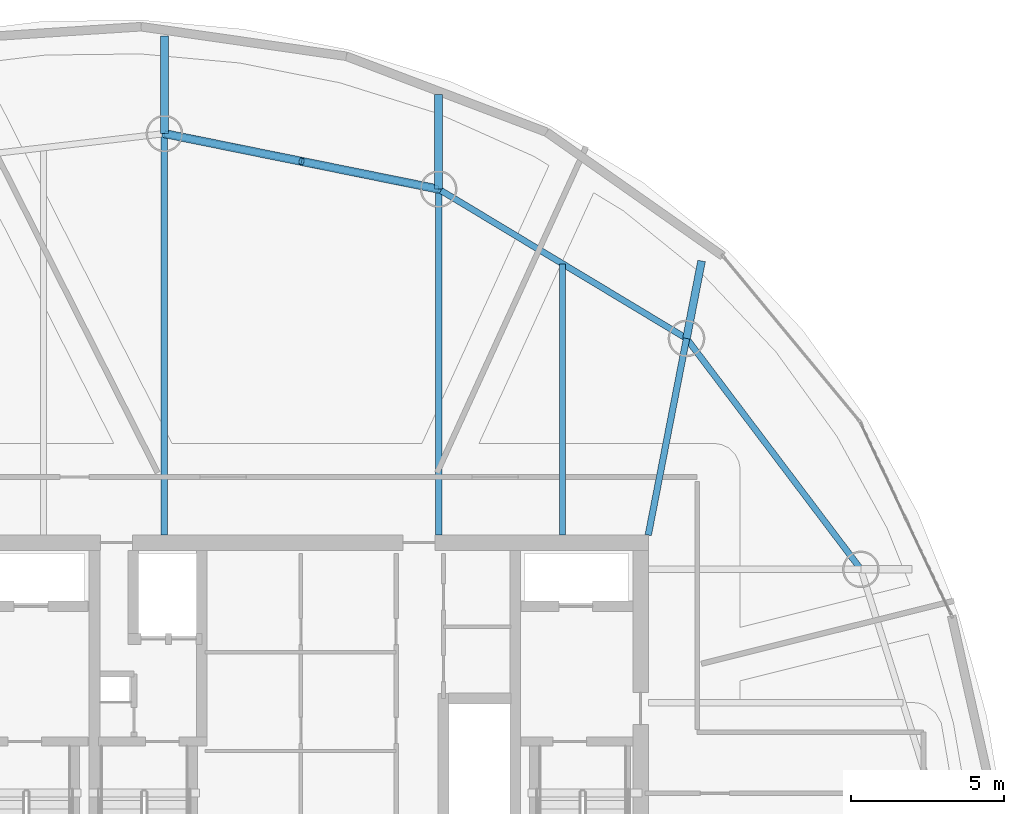
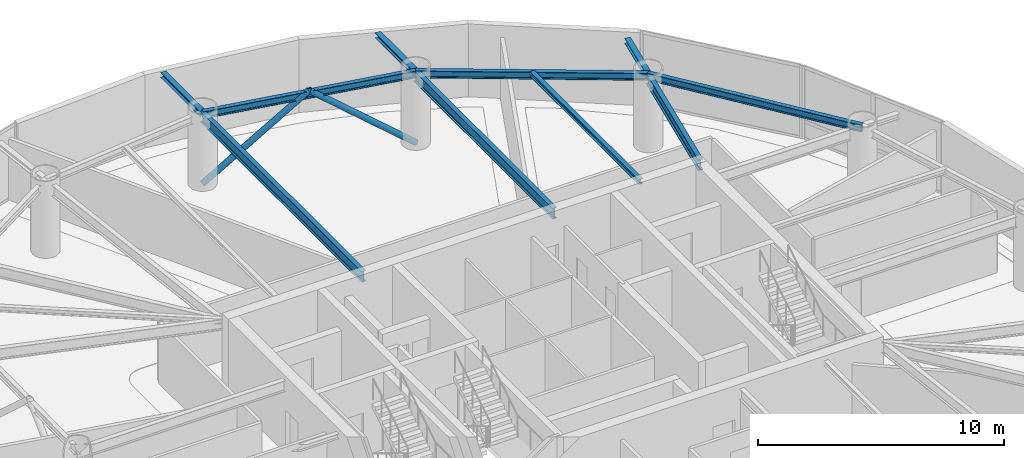
# One storey, part 11 of 20: 10 beams, 2 members.
"""IFC4 building model written with IfcOpenShell, lengths in metres."""

from ifc_helpers import new_model, si_unit, direction, frame, origin, origin_2d, place, context, subcontext, project, spatial, hollow_circle, i_section, extrude, material, material_profile, profile_set, type_object, element, save


model = new_model("IFC4")

# Units and contexts
model_context = context("Model", 3, precision=1e-05, world=origin(), true_north=direction((0.0, 1.0)))
body_context = subcontext(model_context, "Body", "Model", "MODEL_VIEW")
ifc_project = project(units=[si_unit("LENGTHUNIT", "METRE"), si_unit("AREAUNIT", "SQUARE_METRE"), si_unit("VOLUMEUNIT", "CUBIC_METRE"), si_unit("PLANEANGLEUNIT", "RADIAN"), si_unit("MASSUNIT", "GRAM", prefix="KILO")], contexts=[model_context])

# Site, building, storey
site_placement = place(None, origin())
site = spatial("IfcSite", under=ifc_project, at=site_placement, CompositionType="ELEMENT")
building_placement = place(site_placement, origin())
building = spatial("IfcBuilding", under=site, at=building_placement, Name="Bramvorn Convention Spire", CompositionType="ELEMENT")
storey_placement = place(building_placement, frame((0.0, 0.0, 202.0)))
storey = spatial("IfcBuildingStorey", under=building, at=storey_placement, Name="L51", CompositionType="ELEMENT", Elevation=202.0)

# Beams
ifc_material = material(Name="Steel CSA G40.21 Grade 350 (350W)", Category="steel")
ifc_material_profile_1 = material_profile(ifc_material, i_section(OverallWidth=0.201904296875, OverallDepth=0.2470703125, WebThickness=0.00732421875, FlangeThickness=0.010986328125, FilletRadius=0.011962890625, at=origin_2d()))
ifc_profile_set_1 = profile_set([ifc_material_profile_1], Name="Steel CSA G40.21 Grade 350 (350W) - W250X49")
beam_type_1 = type_object("IfcBeamType", Name="BM-W250X49", PredefinedType="JOIST", material=ifc_profile_set_1)
beam_1_placement = place(storey_placement, frame((46.445556640625, 33.449951171875, 3.49658203125), z_axis=(0.0, 1.0, 0.0), x_axis=(-1.0, 0.0, 0.0)))
element("IfcBeam", 1, at=beam_1_placement, inside=storey, type_object=beam_type_1, Name="L51 composite floor joist 05", PredefinedType="JOIST", context=body_context, shape_type="SweptSolid", body=[
    extrude(i_section(OverallWidth=0.201904296875, OverallDepth=0.2470703125, WebThickness=0.00732421875, FlangeThickness=0.010986328125, FilletRadius=0.011962890625, at=origin_2d()), origin(), (0.0, 0.0, 1.0), 8.878662109375),
])
ifc_material_profile_2 = material_profile(ifc_material, i_section(OverallWidth=0.25390625, OverallDepth=0.2529296875, WebThickness=0.008544921875, FlangeThickness=0.01416015625, FilletRadius=0.011962890625, at=origin_2d()))
ifc_profile_set_2 = profile_set([ifc_material_profile_2], Name="Steel CSA G40.21 Grade 350 (350W) - W250X73")
beam_type_2 = type_object("IfcBeamType", Name="BM-W250X73", PredefinedType="BEAM", material=ifc_profile_set_2)
beam_2_placement = place(storey_placement, frame((50.501953125, 39.885009765625, 3.493408203125), z_axis=(0.190968343976, 0.981596195795, 0.0), x_axis=(-0.981596195795, 0.190968343976, 0.0)))
element("IfcBeam", 2, at=beam_2_placement, inside=storey, type_object=beam_type_2, Name="L51 slab-edge cantilever tip beam MC05", PredefinedType="BEAM", context=body_context, shape_type="SweptSolid", body=[
    extrude(i_section(OverallWidth=0.25390625, OverallDepth=0.2529296875, WebThickness=0.008544921875, FlangeThickness=0.01416015625, FilletRadius=0.011962890625, at=origin_2d()), origin(), (0.0, 0.0, 1.0), 2.58251953125),
])
beam_3_placement = place(storey_placement, frame((42.38916015625, 44.772216796875, 3.493408203125), z_axis=(0.0, 1.0, 0.0), x_axis=(-1.0, 0.0, 0.0)))
element("IfcBeam", 3, at=beam_3_placement, inside=storey, type_object=beam_type_2, Name="L51 slab-edge cantilever tip beam MC06", PredefinedType="BEAM", context=body_context, shape_type="SweptSolid", body=[
    extrude(i_section(OverallWidth=0.25390625, OverallDepth=0.2529296875, WebThickness=0.008544921875, FlangeThickness=0.01416015625, FilletRadius=0.011962890625, at=origin_2d()), origin(), (0.0, 0.0, 1.0), 3.09375),
])
beam_4_placement = place(storey_placement, frame((33.416259765625, 46.58837890625, 3.493408203125), z_axis=(0.0, 1.0, 0.0), x_axis=(-1.0, 0.0, 0.0)))
element("IfcBeam", 4, at=beam_4_placement, inside=storey, type_object=beam_type_2, Name="L51 slab-edge cantilever tip beam MC07", PredefinedType="BEAM", context=body_context, shape_type="SweptSolid", body=[
    extrude(i_section(OverallWidth=0.25390625, OverallDepth=0.2529296875, WebThickness=0.008544921875, FlangeThickness=0.01416015625, FilletRadius=0.011962890625, at=origin_2d()), origin(), (0.0, 0.0, 1.0), 3.199951171875),
])
ifc_material_profile_3 = material_profile(ifc_material, i_section(OverallWidth=0.205078125, OverallDepth=0.35400390625, WebThickness=0.009521484375, FlangeThickness=0.016845703125, FilletRadius=0.014892578125, at=origin_2d()))
ifc_profile_set_3 = profile_set([ifc_material_profile_3], Name="Steel CSA G40.21 Grade 350 (350W) - W360X79")
beam_type_3 = type_object("IfcBeamType", Name="BM-W360X79", PredefinedType="JOIST", material=ifc_profile_set_3)
for number, where, z_axis, x_axis, name in (
    (5, (56.21044921875, 32.327392578125, 3.443115234375), (-0.602718581414, 0.797953827999, 0.0), (-0.797953827999, -0.602718581414, 0.0), "L51 mega-column ring beam 04"),
    (6, (50.501953125, 39.885009765625, 3.443115234375), (-0.856581795745, 0.516011266543, 0.0), (-0.516011266543, -0.856581795745, 0.0), "L51 mega-column ring beam 05"),
):
    element("IfcBeam", number, at=place(storey_placement, frame(where, z_axis=z_axis, x_axis=x_axis)), inside=storey, type_object=beam_type_3, Name=name, PredefinedType="JOIST", context=body_context, shape_type="SweptSolid", body=[
        extrude(i_section(OverallWidth=0.205078125, OverallDepth=0.35400390625, WebThickness=0.009521484375, FlangeThickness=0.016845703125, FilletRadius=0.014892578125, at=origin_2d()), origin(), (0.0, 0.0, 1.0), 9.47119140625),
    ])
beam_5_placement = place(storey_placement, frame((42.38916015625, 44.772216796875, 3.443115234375), z_axis=(-0.980124701676, 0.198382381187, 0.0), x_axis=(-0.198382381187, -0.980124701676, 0.0)))
element("IfcBeam", 7, at=beam_5_placement, inside=storey, type_object=beam_type_3, Name="L51 mega-column ring beam 06", PredefinedType="JOIST", context=body_context, shape_type="SweptSolid", body=[
    extrude(i_section(OverallWidth=0.205078125, OverallDepth=0.35400390625, WebThickness=0.009521484375, FlangeThickness=0.016845703125, FilletRadius=0.014892578125, at=origin_2d()), origin(), (0.0, 0.0, 1.0), 9.15478515625),
])
ifc_material_profile_4 = material_profile(ifc_material, i_section(OverallWidth=0.2119140625, OverallDepth=0.5439453125, WebThickness=0.01318359375, FlangeThickness=0.021240234375, FilletRadius=0.01904296875, at=origin_2d()))
ifc_profile_set_4 = profile_set([ifc_material_profile_4], Name="Steel CSA G40.21 Grade 350 (350W) - W530X123")
beam_type_4 = type_object("IfcBeamType", Name="BM-W530X123", PredefinedType="BEAM", material=ifc_profile_set_4)
beam_6_placement = place(storey_placement, frame((49.25, 33.449951171875, 3.347900390625), z_axis=(0.190971329886, 0.981595614885, 0.0), x_axis=(-0.981595614885, 0.190971329886, 0.0)))
element("IfcBeam", 8, at=beam_6_placement, inside=storey, type_object=beam_type_4, Name="L51 radial floor girder MC05", PredefinedType="BEAM", context=body_context, shape_type="SweptSolid", body=[
    extrude(i_section(OverallWidth=0.2119140625, OverallDepth=0.5439453125, WebThickness=0.01318359375, FlangeThickness=0.021240234375, FilletRadius=0.01904296875, at=origin_2d()), origin(), (0.0, 0.0, 1.0), 6.5556640625),
])
beam_7_placement = place(storey_placement, frame((42.38916015625, 33.449951171875, 3.347900390625), z_axis=(0.0, 1.0, 0.0), x_axis=(-1.0, 0.0, 0.0)))
element("IfcBeam", 9, at=beam_7_placement, inside=storey, type_object=beam_type_4, Name="L51 radial floor girder MC06", PredefinedType="BEAM", context=body_context, shape_type="SweptSolid", body=[
    extrude(i_section(OverallWidth=0.2119140625, OverallDepth=0.5439453125, WebThickness=0.01318359375, FlangeThickness=0.021240234375, FilletRadius=0.01904296875, at=origin_2d()), origin(), (0.0, 0.0, 1.0), 11.322265625),
])
beam_8_placement = place(storey_placement, frame((33.416259765625, 33.449951171875, 3.347900390625), z_axis=(0.0, 1.0, 0.0), x_axis=(-1.0, 0.0, 0.0)))
element("IfcBeam", 10, at=beam_8_placement, inside=storey, type_object=beam_type_4, Name="L51 radial floor girder MC07", PredefinedType="BEAM", context=body_context, shape_type="SweptSolid", body=[
    extrude(i_section(OverallWidth=0.2119140625, OverallDepth=0.5439453125, WebThickness=0.01318359375, FlangeThickness=0.021240234375, FilletRadius=0.01904296875, at=origin_2d()), origin(), (0.0, 0.0, 1.0), 13.138427734375),
])

# Members
ifc_material_profile_5 = material_profile(ifc_material, hollow_circle(Radius=0.136474609375, WallThickness=0.0126953125, at=origin_2d()))
ifc_profile_set_5 = profile_set([ifc_material_profile_5], Name="Steel CSA G40.21 Grade 350 (350W) - CHS273X13")
member_type = type_object("IfcMemberType", Name="MBR-CHS273X13", PredefinedType="BRACE", material=ifc_profile_set_5)
for number, where, z_axis, x_axis, name in (
    (11, (42.38916015625, 44.772216796875, 0.0), (-0.768774413927, 0.155578823823, 0.62030728681), (-0.198351578089, -0.98013093588, 0.0), "L51 perimeter Gothic lancet brace 6A"),
    (12, (33.416259765625, 46.58837890625, 0.0), (0.768752299453, -0.155624649215, 0.620323198536), (0.198413185373, 0.980118466243, 0.0), "L51 perimeter Gothic lancet brace 6B"),
):
    element("IfcMember", number, at=place(storey_placement, frame(where, z_axis=z_axis, x_axis=x_axis)), inside=storey, type_object=member_type, Name=name, PredefinedType="BRACE", context=body_context, shape_type="SweptSolid", body=[
        extrude(hollow_circle(Radius=0.136474609375, WallThickness=0.0126953125, at=origin_2d()), origin(), (0.0, 0.0, 1.0), 5.8359375),
    ])

save(model, "model.ifc")
